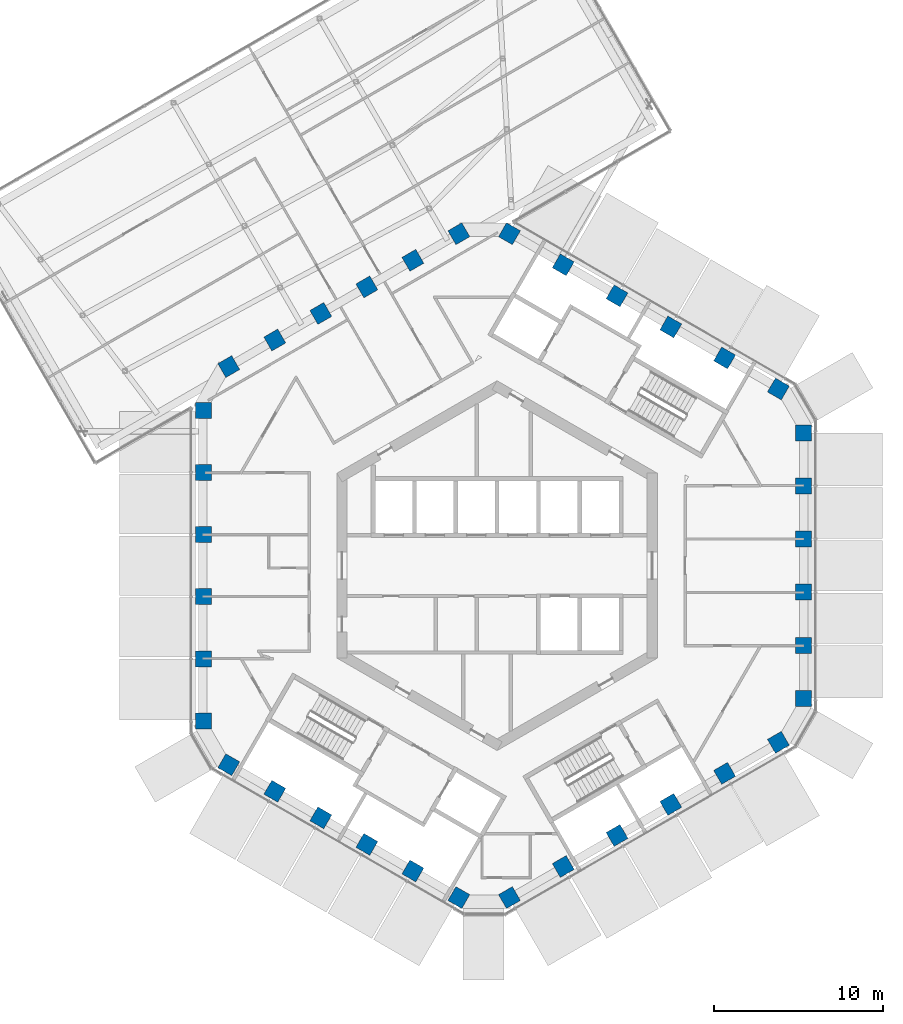
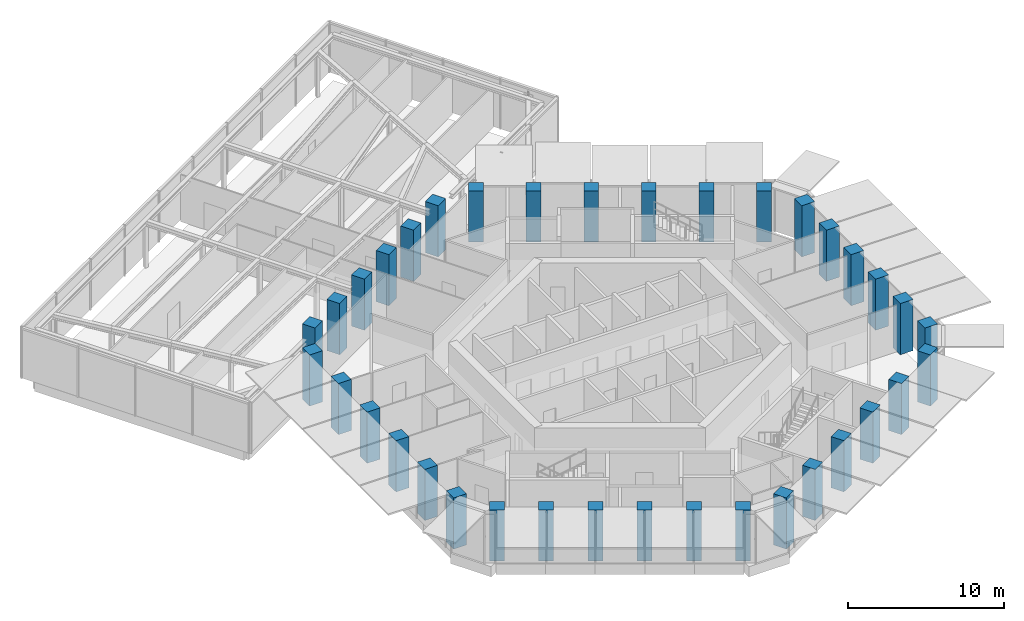
# One storey, part 1 of 27: 36 columns.
"""IFC4 building model written with IfcOpenShell, lengths in metres."""

from ifc_helpers import new_model, si_unit, direction, frame, origin, origin_2d, place, context, subcontext, project, spatial, rectangle, extrude, material, material_profile, profile_set, type_object, element, save


model = new_model("IFC4")

# Units and contexts
model_context = context("Model", 3, precision=1e-05, world=origin(), true_north=direction((0.0, 1.0)))
body_context = subcontext(model_context, "Body", "Model", "MODEL_VIEW")
ifc_project = project(units=[si_unit("LENGTHUNIT", "METRE"), si_unit("AREAUNIT", "SQUARE_METRE"), si_unit("VOLUMEUNIT", "CUBIC_METRE"), si_unit("PLANEANGLEUNIT", "RADIAN"), si_unit("MASSUNIT", "GRAM", prefix="KILO")], contexts=[model_context])

# Site, building, storey
site_placement = place(None, origin())
site = spatial("IfcSite", under=ifc_project, at=site_placement, CompositionType="ELEMENT")
building_placement = place(site_placement, origin())
building = spatial("IfcBuilding", under=site, at=building_placement, Name="Ayvan Gate Tower", CompositionType="ELEMENT")
storey_placement = place(building_placement, frame((0.0, 0.0, 194.699951171875)))
storey = spatial("IfcBuildingStorey", under=building, at=storey_placement, Name="L52", CompositionType="ELEMENT", Elevation=194.699951171875)

# Columns
ifc_material = material(Name="Concrete C55/67", Category="concrete")
ifc_material_profile = material_profile(ifc_material, rectangle(XDim=0.949951171875, YDim=0.949951171875, at=origin_2d()), Name="RC 950x950")
ifc_profile_set = profile_set([ifc_material_profile], Name="Concrete C55/67")
column_type = type_object("IfcColumnType", Name="Tube column RC 950x950 C55/67", PredefinedType="COLUMN", material=ifc_profile_set)
for number, where, z_axis, x_axis, name in (
    (1, (18.1865234375, -7.881103515625, 0.0), (0.0, 0.0, 1.0), (1.0, 0.0, 0.0), "C-T0-0-L52"),
    (2, (18.1865234375, -4.728759765625, 0.0), (0.0, 0.0, 1.0), (1.0, 0.0, 0.0), "C-T0-1-L52"),
    (3, (18.1865234375, -1.576171875, 0.0), (0.0, 0.0, 1.0), (1.0, 0.0, 0.0), "C-T0-2-L52"),
    (4, (18.1865234375, 1.576171875, 0.0), (0.0, 0.0, 1.0), (1.0, 0.0, 0.0), "C-T0-3-L52"),
    (5, (18.1865234375, 4.728759765625, 0.0), (0.0, 0.0, 1.0), (1.0, 0.0, 0.0), "C-T0-4-L52"),
    (6, (18.1865234375, 7.881103515625, 0.0), (0.0, 0.0, 1.0), (1.0, 0.0, 0.0), "C-T0-5-L52"),
    (7, (16.6865234375, 10.479248046875, 0.0), (0.0, 0.0, 1.0), (0.5, 0.866025403784, 0.0), "C-T1-0-L52"),
    (8, (13.49560546875, 12.321533203125, 0.0), (0.0, 0.0, 1.0), (0.5, 0.866025403784, 0.0), "C-T1-1-L52"),
    (9, (10.3046875, 14.163818359375, 0.0), (0.0, 0.0, 1.0), (0.5, 0.866025403784, 0.0), "C-T1-2-L52"),
    (10, (7.11376953125, 16.006103515625, 0.0), (0.0, 0.0, 1.0), (0.5, 0.866025403784, 0.0), "C-T1-3-L52"),
    (11, (3.9228515625, 17.848388671875, 0.0), (0.0, 0.0, 1.0), (0.5, 0.866025403784, 0.0), "C-T1-4-L52"),
    (12, (0.73193359375, 19.690673828125, 0.0), (0.0, 0.0, 1.0), (0.5, 0.866025403784, 0.0), "C-T1-5-L52"),
    (13, (-2.26806640625, 19.690673828125, 0.0), (0.0, 0.0, 1.0), (-0.5, 0.866025403784, 0.0), "C-T2-0-L52"),
    (14, (-4.998046875, 18.1142578125, 0.0), (0.0, 0.0, 1.0), (-0.5, 0.866025403784, 0.0), "C-T2-1-L52"),
    (15, (-7.728271484375, 16.5380859375, 0.0), (0.0, 0.0, 1.0), (-0.5, 0.866025403784, 0.0), "C-T2-2-L52"),
    (16, (-10.458251953125, 14.9619140625, 0.0), (0.0, 0.0, 1.0), (-0.5, 0.866025403784, 0.0), "C-T2-3-L52"),
    (17, (-13.1884765625, 13.3857421875, 0.0), (0.0, 0.0, 1.0), (-0.5, 0.866025403784, 0.0), "C-T2-4-L52"),
    (18, (-15.91845703125, 11.809326171875, 0.0), (0.0, 0.0, 1.0), (-0.5, 0.866025403784, 0.0), "C-T2-5-L52"),
    (19, (-17.41845703125, 9.21142578125, 0.0), (0.0, 0.0, 1.0), (-1.0, 0.0, 0.0), "C-T3-0-L52"),
    (20, (-17.41845703125, 5.52685546875, 0.0), (0.0, 0.0, 1.0), (-1.0, 0.0, 0.0), "C-T3-1-L52"),
    (21, (-17.41845703125, 1.84228515625, 0.0), (0.0, 0.0, 1.0), (-1.0, 0.0, 0.0), "C-T3-2-L52"),
    (22, (-17.41845703125, -1.84228515625, 0.0), (0.0, 0.0, 1.0), (-1.0, 0.0, 0.0), "C-T3-3-L52"),
    (23, (-17.41845703125, -5.52685546875, 0.0), (0.0, 0.0, 1.0), (-1.0, 0.0, 0.0), "C-T3-4-L52"),
    (24, (-17.41845703125, -9.21142578125, 0.0), (0.0, 0.0, 1.0), (-1.0, 0.0, 0.0), "C-T3-5-L52"),
    (25, (-15.91845703125, -11.809326171875, 0.0), (0.0, 0.0, 1.0), (-0.5, -0.866025403784, 0.0), "C-T4-0-L52"),
    (26, (-13.1884765625, -13.3857421875, 0.0), (0.0, 0.0, 1.0), (-0.5, -0.866025403784, 0.0), "C-T4-1-L52"),
    (27, (-10.458251953125, -14.9619140625, 0.0), (0.0, 0.0, 1.0), (-0.5, -0.866025403784, 0.0), "C-T4-2-L52"),
    (28, (-7.728271484375, -16.5380859375, 0.0), (0.0, 0.0, 1.0), (-0.5, -0.866025403784, 0.0), "C-T4-3-L52"),
    (29, (-4.998046875, -18.1142578125, 0.0), (0.0, 0.0, 1.0), (-0.5, -0.866025403784, 0.0), "C-T4-4-L52"),
    (30, (-2.26806640625, -19.690673828125, 0.0), (0.0, 0.0, 1.0), (-0.5, -0.866025403784, 0.0), "C-T4-5-L52"),
    (31, (0.73193359375, -19.690673828125, 0.0), (0.0, 0.0, 1.0), (0.5, -0.866025403784, 0.0), "C-T5-0-L52"),
    (32, (3.9228515625, -17.848388671875, 0.0), (0.0, 0.0, 1.0), (0.5, -0.866025403784, 0.0), "C-T5-1-L52"),
    (33, (7.11376953125, -16.006103515625, 0.0), (0.0, 0.0, 1.0), (0.5, -0.866025403784, 0.0), "C-T5-2-L52"),
    (34, (10.3046875, -14.163818359375, 0.0), (0.0, 0.0, 1.0), (0.5, -0.866025403784, 0.0), "C-T5-3-L52"),
    (35, (13.49560546875, -12.321533203125, 0.0), (0.0, 0.0, 1.0), (0.5, -0.866025403784, 0.0), "C-T5-4-L52"),
    (36, (16.6865234375, -10.479248046875, 0.0), (0.0, 0.0, 1.0), (0.5, -0.866025403784, 0.0), "C-T5-5-L52"),
):
    element("IfcColumn", number, at=place(storey_placement, frame(where, z_axis=z_axis, x_axis=x_axis)), inside=storey, type_object=column_type, Name=name, PredefinedType="COLUMN", context=body_context, shape_type="SweptSolid", body=[
        extrude(rectangle(XDim=0.949951171875, YDim=0.949951171875, at=origin_2d()), origin(), (0.0, 0.0, 1.0), 4.0),
    ])

save(model, "model.ifc")
